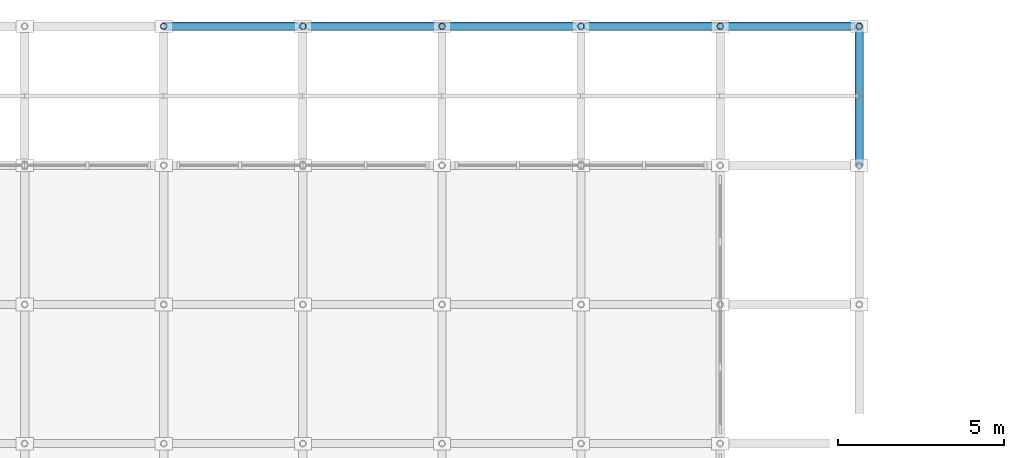
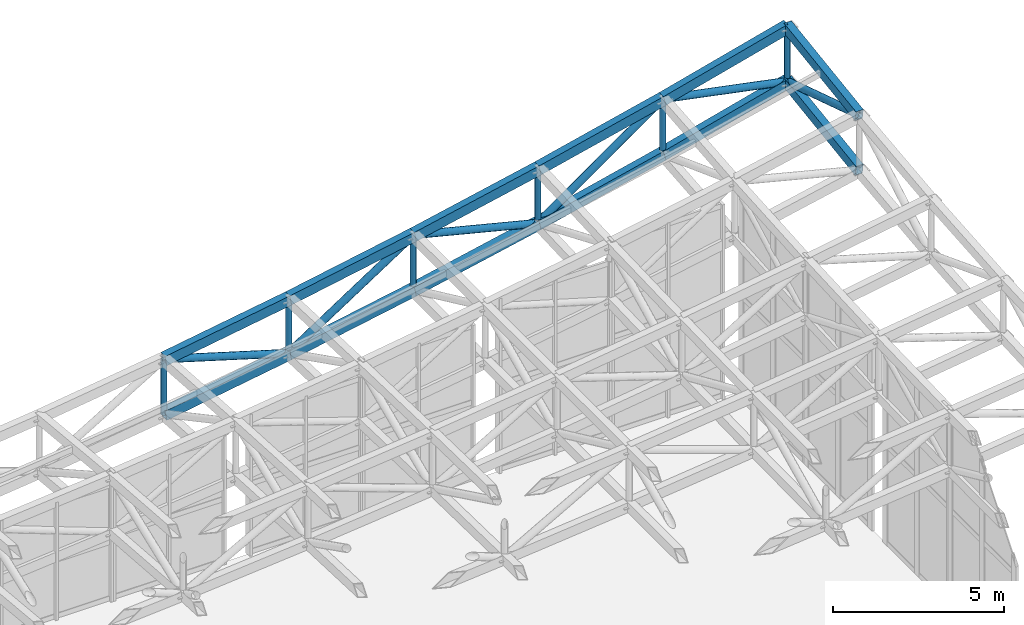
# One storey, part 61 of 111: 24 members.
"""IFC4 building model written with IfcOpenShell, lengths in metres."""

from ifc_helpers import new_model, si_unit, direction, frame, origin, origin_2d, place, context, subcontext, project, spatial, hollow_rectangle, hollow_circle, extrude, material, material_profile, profile_set, type_object, element, save


model = new_model("IFC4")

# Units and contexts
model_context = context("Model", 3, precision=1e-05, world=origin(), true_north=direction((0.0, 1.0)))
body_context = subcontext(model_context, "Body", "Model", "MODEL_VIEW")
ifc_project = project(units=[si_unit("LENGTHUNIT", "METRE"), si_unit("AREAUNIT", "SQUARE_METRE"), si_unit("VOLUMEUNIT", "CUBIC_METRE"), si_unit("PLANEANGLEUNIT", "RADIAN"), si_unit("MASSUNIT", "GRAM", prefix="KILO")], contexts=[model_context])

# Site, building, storey
site_placement = place(None, origin())
site = spatial("IfcSite", under=ifc_project, at=site_placement, CompositionType="ELEMENT")
building_placement = place(site_placement, origin())
building = spatial("IfcBuilding", under=site, at=building_placement, Name="Cumbredor Promenade Congress Hotel", CompositionType="ELEMENT")
storey_placement = place(building_placement, frame((0.0, 0.0, 15.1201171875)))
storey = spatial("IfcBuildingStorey", under=building, at=storey_placement, Name="L04", CompositionType="ELEMENT", Elevation=15.1201171875)

# Members
ifc_material = material(Name="Steel ASTM A500 Grade C", Category="steel")
ifc_material_profile_1 = material_profile(ifc_material, hollow_rectangle(XDim=0.25, YDim=0.35009765625, WallThickness=0.01611328125, at=origin_2d()), Name="HSS 350x250x16")
ifc_profile_set_1 = profile_set([ifc_material_profile_1], Name="Steel ASTM A500 Grade C")
member_type_1 = type_object("IfcMemberType", Name="Forum Roof Truss Chord", PredefinedType="CHORD", material=ifc_profile_set_1)
for number, where, z_axis, x_axis, name in (
    (1, (159.60009765625, 121.800048828125, 4.546875), (0.986884056169, 0.0, 0.161430665236), (0.0, 1.0, 0.0), "Pre-Function and Breakout Meeting Forum X Top Chord 18.11"),
    (2, (159.60009765625, 121.800048828125, 2.596923828125), (0.986884056169, 0.0, 0.161430665236), (0.0, 1.0, 0.0), "Pre-Function and Breakout Meeting Forum X Bottom Chord 18.11"),
):
    element("IfcMember", number, at=place(storey_placement, frame(where, z_axis=z_axis, x_axis=x_axis)), inside=storey, type_object=member_type_1, Name=name, PredefinedType="CHORD", context=body_context, shape_type="SweptSolid", body=[
        extrude(hollow_rectangle(XDim=0.25, YDim=0.35009765625, WallThickness=0.01611328125, at=origin_2d()), origin(), (0.0, 0.0, 1.0), 4.255859375),
    ])
member_1_placement = place(storey_placement, frame((163.800048828125, 121.800048828125, 5.23388671875), z_axis=(0.982660082825, 0.0, 0.185416184901), x_axis=(0.0, 1.0, 0.0)))
element("IfcMember", 3, at=member_1_placement, inside=storey, type_object=member_type_1, Name="Pre-Function and Breakout Meeting Forum X Top Chord 19.11", PredefinedType="CHORD", context=body_context, shape_type="SweptSolid", body=[
    extrude(hollow_rectangle(XDim=0.25, YDim=0.35009765625, WallThickness=0.01611328125, at=origin_2d()), origin(), (0.0, 0.0, 1.0), 4.274169921875),
])
member_2_placement = place(storey_placement, frame((163.800048828125, 121.800048828125, 3.283935546875), z_axis=(0.982670488974, 0.0, 0.185361026375), x_axis=(0.0, 1.0, 0.0)))
element("IfcMember", 4, at=member_2_placement, inside=storey, type_object=member_type_1, Name="Pre-Function and Breakout Meeting Forum X Bottom Chord 19.11", PredefinedType="CHORD", context=body_context, shape_type="SweptSolid", body=[
    extrude(hollow_rectangle(XDim=0.25, YDim=0.35009765625, WallThickness=0.01611328125, at=origin_2d()), origin(), (0.0, 0.0, 1.0), 4.27392578125),
])
member_3_placement = place(storey_placement, frame((168.0, 121.800048828125, 6.0263671875), z_axis=(0.977922876624, 0.0, 0.208966139305), x_axis=(0.0, 1.0, 0.0)))
element("IfcMember", 5, at=member_3_placement, inside=storey, type_object=member_type_1, Name="Pre-Function and Breakout Meeting Forum X Top Chord 20.11", PredefinedType="CHORD", context=body_context, shape_type="SweptSolid", body=[
    extrude(hollow_rectangle(XDim=0.25, YDim=0.35009765625, WallThickness=0.01611328125, at=origin_2d()), origin(), (0.0, 0.0, 1.0), 4.294677734375),
])
member_4_placement = place(storey_placement, frame((168.0, 121.800048828125, 4.076171875), z_axis=(0.9779112586, 0.0, 0.209020502114), x_axis=(0.0, 1.0, 0.0)))
element("IfcMember", 6, at=member_4_placement, inside=storey, type_object=member_type_1, Name="Pre-Function and Breakout Meeting Forum X Bottom Chord 20.11", PredefinedType="CHORD", context=body_context, shape_type="SweptSolid", body=[
    extrude(hollow_rectangle(XDim=0.25, YDim=0.35009765625, WallThickness=0.01611328125, at=origin_2d()), origin(), (0.0, 0.0, 1.0), 4.294921875),
])
for number, where, z_axis, x_axis, name in (
    (7, (172.199951171875, 121.800048828125, 6.923828125), (0.972665290628, 0.0, 0.232211611266), (0.0, 1.0, 0.0), "Pre-Function and Breakout Meeting Forum X Top Chord 21.11"),
    (8, (172.199951171875, 121.800048828125, 4.973876953125), (0.972665290628, 0.0, 0.232211611266), (0.0, 1.0, 0.0), "Pre-Function and Breakout Meeting Forum X Bottom Chord 21.11"),
):
    element("IfcMember", number, at=place(storey_placement, frame(where, z_axis=z_axis, x_axis=x_axis)), inside=storey, type_object=member_type_1, Name=name, PredefinedType="CHORD", context=body_context, shape_type="SweptSolid", body=[
        extrude(hollow_rectangle(XDim=0.25, YDim=0.35009765625, WallThickness=0.01611328125, at=origin_2d()), origin(), (0.0, 0.0, 1.0), 4.31787109375),
    ])
for number, where, z_axis, x_axis, name in (
    (9, (176.39990234375, 121.800048828125, 7.926513671875), (0.966760808436, 0.0, 0.255682497), (0.0, 1.0, 0.0), "Pre-Function and Breakout Meeting Forum X Top Chord 22.11"),
    (10, (176.39990234375, 121.800048828125, 5.9765625), (0.966760808436, 0.0, 0.255682497), (0.0, 1.0, 0.0), "Pre-Function and Breakout Meeting Forum X Bottom Chord 22.11"),
):
    element("IfcMember", number, at=place(storey_placement, frame(where, z_axis=z_axis, x_axis=x_axis)), inside=storey, type_object=member_type_1, Name=name, PredefinedType="CHORD", context=body_context, shape_type="SweptSolid", body=[
        extrude(hollow_rectangle(XDim=0.25, YDim=0.35009765625, WallThickness=0.01611328125, at=origin_2d()), origin(), (0.0, 0.0, 1.0), 4.3447265625),
    ])
for number, where, z_axis, x_axis, name in (
    (11, (180.60009765625, 117.60009765625, 8.4267578125), (0.0, 0.989596716338, 0.143869173258), (-1.0, 0.0, 0.0), "Pre-Function and Breakout Meeting Forum Y Top Chord 23.10"),
    (12, (180.60009765625, 117.60009765625, 6.476806640625), (0.0, 0.989596716338, 0.143869173258), (-1.0, 0.0, 0.0), "Pre-Function and Breakout Meeting Forum Y Bottom Chord 23.10"),
):
    element("IfcMember", number, at=place(storey_placement, frame(where, z_axis=z_axis, x_axis=x_axis)), inside=storey, type_object=member_type_1, Name=name, PredefinedType="CHORD", context=body_context, shape_type="SweptSolid", body=[
        extrude(hollow_rectangle(XDim=0.25, YDim=0.35009765625, WallThickness=0.01611328125, at=origin_2d()), origin(), (0.0, 0.0, 1.0), 4.244140625),
    ])
ifc_material_profile_2 = material_profile(ifc_material, hollow_circle(Radius=0.122314453125, WallThickness=0.012451171875, at=origin_2d()), Name="CHS 244.5x12.5")
ifc_profile_set_2 = profile_set([ifc_material_profile_2], Name="Steel ASTM A500 Grade C")
member_type_2 = type_object("IfcMemberType", Name="Space Frame Web Diagonal D2", PredefinedType="BRACE", material=ifc_profile_set_2)
member_5_placement = place(storey_placement, frame((159.60009765625, 121.800048828125, 4.546875), z_axis=(0.957640699197, 0.0, -0.287965781372), x_axis=(0.0, 1.0, 0.0)))
element("IfcMember", 13, at=member_5_placement, inside=storey, type_object=member_type_2, Name="Pre-Function and Breakout Meeting Forum X Web Diagonal 18.11", PredefinedType="BRACE", context=body_context, shape_type="SweptSolid", body=[
    extrude(hollow_circle(Radius=0.122314453125, WallThickness=0.012451171875, at=origin_2d()), origin(), (0.0, 0.0, 1.0), 4.3857421875),
])
member_6_placement = place(storey_placement, frame((163.800048828125, 121.800048828125, 3.283935546875), z_axis=(0.837306427751, 0.0, 0.546733889608), x_axis=(0.0, 1.0, 0.0)))
element("IfcMember", 14, at=member_6_placement, inside=storey, type_object=member_type_2, Name="Pre-Function and Breakout Meeting Forum X Web Diagonal 19.11", PredefinedType="BRACE", context=body_context, shape_type="SweptSolid", body=[
    extrude(hollow_circle(Radius=0.122314453125, WallThickness=0.012451171875, at=origin_2d()), origin(), (0.0, 0.0, 1.0), 5.01611328125),
])
member_7_placement = place(storey_placement, frame((168.0, 121.800048828125, 6.0263671875), z_axis=(0.970006358163, 0.0, -0.243079544849), x_axis=(0.0, 1.0, 0.0)))
element("IfcMember", 15, at=member_7_placement, inside=storey, type_object=member_type_2, Name="Pre-Function and Breakout Meeting Forum X Web Diagonal 20.11", PredefinedType="BRACE", context=body_context, shape_type="SweptSolid", body=[
    extrude(hollow_circle(Radius=0.122314453125, WallThickness=0.012451171875, at=origin_2d()), origin(), (0.0, 0.0, 1.0), 4.329833984375),
])
member_8_placement = place(storey_placement, frame((172.199951171875, 121.800048828125, 4.973876953125), z_axis=(0.818070759163, 0.0, 0.575117581893), x_axis=(0.0, 1.0, 0.0)))
element("IfcMember", 16, at=member_8_placement, inside=storey, type_object=member_type_2, Name="Pre-Function and Breakout Meeting Forum X Web Diagonal 21.11", PredefinedType="BRACE", context=body_context, shape_type="SweptSolid", body=[
    extrude(hollow_circle(Radius=0.122314453125, WallThickness=0.012451171875, at=origin_2d()), origin(), (0.0, 0.0, 1.0), 5.134033203125),
])
member_9_placement = place(storey_placement, frame((176.39990234375, 121.800048828125, 7.926513671875), z_axis=(0.980622307178, 0.0, -0.195907862693), x_axis=(0.0, 1.0, 0.0)))
element("IfcMember", 17, at=member_9_placement, inside=storey, type_object=member_type_2, Name="Pre-Function and Breakout Meeting Forum X Web Diagonal 22.11", PredefinedType="BRACE", context=body_context, shape_type="SweptSolid", body=[
    extrude(hollow_circle(Radius=0.122314453125, WallThickness=0.012451171875, at=origin_2d()), origin(), (0.0, 0.0, 1.0), 4.283203125),
])
member_10_placement = place(storey_placement, frame((180.60009765625, 117.60009765625, 8.4267578125), z_axis=(0.0, 0.95272847028, -0.30382307667), x_axis=(-1.0, 0.0, 0.0)))
element("IfcMember", 18, at=member_10_placement, inside=storey, type_object=member_type_2, Name="Pre-Function and Breakout Meeting Forum Y Web Diagonal 23.10", PredefinedType="BRACE", context=body_context, shape_type="SweptSolid", body=[
    extrude(hollow_circle(Radius=0.122314453125, WallThickness=0.012451171875, at=origin_2d()), origin(), (0.0, 0.0, 1.0), 4.408447265625),
])
ifc_material_profile_3 = material_profile(ifc_material, hollow_circle(Radius=0.096923828125, WallThickness=0.010009765625, at=origin_2d()), Name="CHS 193.7x10")
ifc_profile_set_3 = profile_set([ifc_material_profile_3], Name="Steel ASTM A500 Grade C")
member_type_3 = type_object("IfcMemberType", Name="Space Frame Web Post P1", PredefinedType="BRACE", material=ifc_profile_set_3)
for number, where, z_axis, x_axis, name in (
    (19, (159.60009765625, 121.800048828125, 2.596923828125), (0.0, 0.0, 1.0), (1.0, 0.0, 0.0), "Pre-Function and Breakout Meeting Forum Space Frame Web Post 18.11"),
    (20, (163.800048828125, 121.800048828125, 3.283935546875), (0.0, 0.0, 1.0), (1.0, 0.0, 0.0), "Pre-Function and Breakout Meeting Forum Space Frame Web Post 19.11"),
):
    element("IfcMember", number, at=place(storey_placement, frame(where, z_axis=z_axis, x_axis=x_axis)), inside=storey, type_object=member_type_3, Name=name, PredefinedType="BRACE", context=body_context, shape_type="SweptSolid", body=[
        extrude(hollow_circle(Radius=0.096923828125, WallThickness=0.010009765625, at=origin_2d()), origin(), (0.0, 0.0, 1.0), 1.949951171875),
    ])
member_11_placement = place(storey_placement, frame((168.0, 121.800048828125, 4.076171875), z_axis=(0.0, 0.0, 1.0), x_axis=(1.0, 0.0, 0.0)))
element("IfcMember", 21, at=member_11_placement, inside=storey, type_object=member_type_3, Name="Pre-Function and Breakout Meeting Forum Space Frame Web Post 20.11", PredefinedType="BRACE", context=body_context, shape_type="SweptSolid", body=[
    extrude(hollow_circle(Radius=0.096923828125, WallThickness=0.010009765625, at=origin_2d()), origin(), (0.0, 0.0, 1.0), 1.9501953125),
])
for number, where, z_axis, x_axis, name in (
    (22, (172.199951171875, 121.800048828125, 4.973876953125), (0.0, 0.0, 1.0), (1.0, 0.0, 0.0), "Pre-Function and Breakout Meeting Forum Space Frame Web Post 21.11"),
    (23, (176.39990234375, 121.800048828125, 5.9765625), (0.0, 0.0, 1.0), (1.0, 0.0, 0.0), "Pre-Function and Breakout Meeting Forum Space Frame Web Post 22.11"),
    (24, (180.60009765625, 121.800048828125, 7.08740234375), (0.0, 0.0, 1.0), (1.0, 0.0, 0.0), "Pre-Function and Breakout Meeting Forum Space Frame Web Post 23.11"),
):
    element("IfcMember", number, at=place(storey_placement, frame(where, z_axis=z_axis, x_axis=x_axis)), inside=storey, type_object=member_type_3, Name=name, PredefinedType="BRACE", context=body_context, shape_type="SweptSolid", body=[
        extrude(hollow_circle(Radius=0.096923828125, WallThickness=0.010009765625, at=origin_2d()), origin(), (0.0, 0.0, 1.0), 1.949951171875),
    ])

save(model, "model.ifc")
